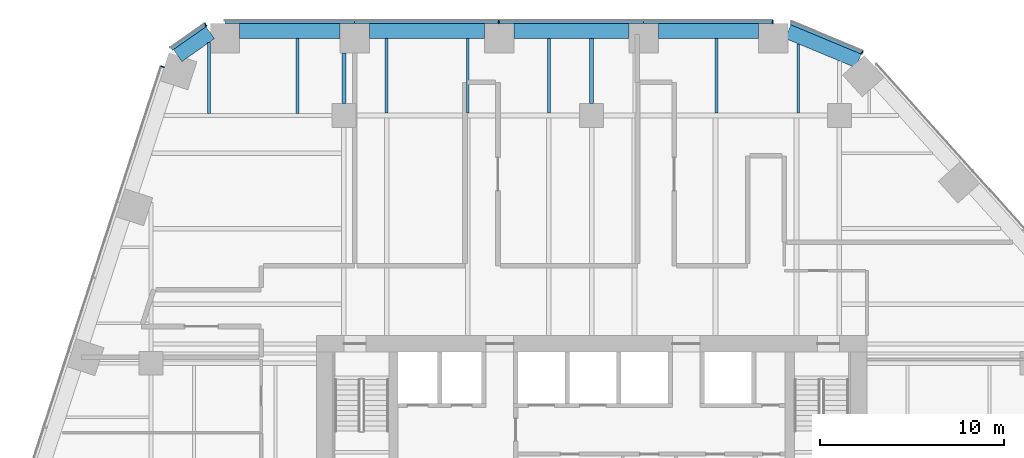
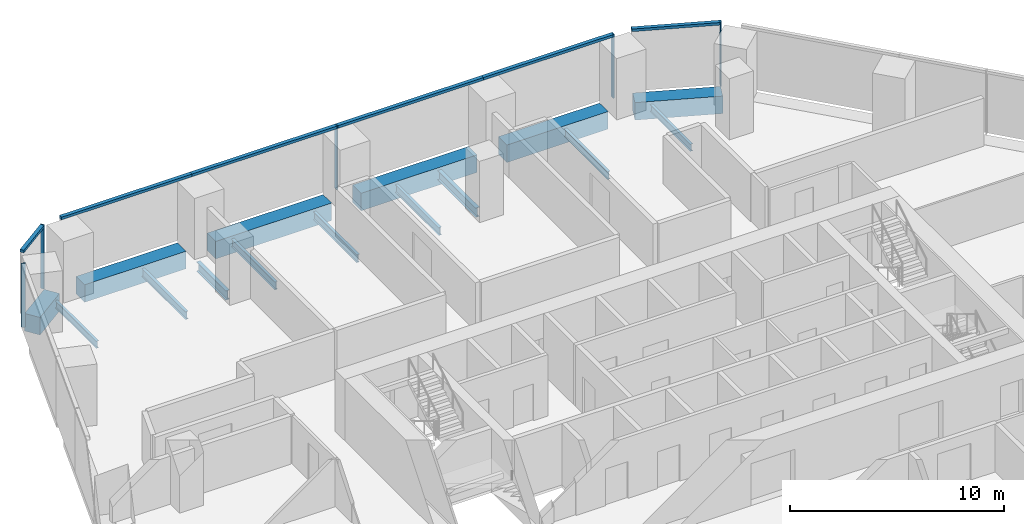
# One storey, part 12 of 21: 15 beams, 11 members, 4 elements without a shape of their own.
"""IFC4 building model written with IfcOpenShell, lengths in metres."""

from ifc_helpers import new_model, si_unit, direction, frame, origin, origin_2d, place, context, subcontext, project, spatial, rectangle, i_section, extrude, material, layer, layer_set, material_profile, profile_set, type_object, element, aggregate, save


model = new_model("IFC4")

# Units and contexts
model_context = context("Model", 3, precision=1e-05, world=origin(), true_north=direction((0.0, 1.0)))
body_context = subcontext(model_context, "Body", "Model", "MODEL_VIEW")
ifc_project = project(units=[si_unit("LENGTHUNIT", "METRE"), si_unit("AREAUNIT", "SQUARE_METRE"), si_unit("VOLUMEUNIT", "CUBIC_METRE"), si_unit("PLANEANGLEUNIT", "RADIAN"), si_unit("MASSUNIT", "GRAM", prefix="KILO")], contexts=[model_context])

# Site, building, storey
site_placement = place(None, origin())
site = spatial("IfcSite", under=ifc_project, at=site_placement, CompositionType="ELEMENT")
building_placement = place(site_placement, origin())
building = spatial("IfcBuilding", under=site, at=building_placement, Name="Isthmus Gate Tower", CompositionType="ELEMENT")
storey_placement = place(building_placement, frame((0.0, 0.0, 106.199951171875)))
storey = spatial("IfcBuildingStorey", under=building, at=storey_placement, Name="L25", CompositionType="ELEMENT", Elevation=106.199951171875)

# Curtain wall, members
ifc_material_1 = material(Name="Aluminium, pale champagne anodised", Category="aluminium")
ifc_layer = layer(ifc_material_1, 0.199951171875)
ifc_layer_set = layer_set([ifc_layer], Name="CW-1 UNITISED CURTAIN WALL 200 DEEP")
curtain_wall_type = type_object("IfcCurtainWallType", Name="CW-1 UNITISED CURTAIN WALL 200 DEEP", PredefinedType="NOTDEFINED", material=ifc_layer_set)
curtain_wall_1_placement = place(storey_placement, origin())
curtain_wall_1 = element("IfcCurtainWall", 1, at=curtain_wall_1_placement, inside=storey, type_object=curtain_wall_type, Name="CW-1 N L25", PredefinedType="NOTDEFINED")
ifc_material_2 = material(Name="Aluminium, pale champagne anodised", Category="aluminium")
ifc_material_profile_1 = material_profile(ifc_material_2, rectangle(XDim=0.06005859375, YDim=0.199951171875, at=origin_2d()), Name="60x200")
ifc_profile_set_1 = profile_set([ifc_material_profile_1], Name="Aluminium, pale champagne anodised")
member_type_1 = type_object("IfcMemberType", Name="CW-1 MULLION 60 X 200", PredefinedType="MULLION", material=ifc_profile_set_1)
member_1_placement = place(storey_placement, frame((9.871826171875, 32.10009765625, 0.0), z_axis=(0.0, 0.0, 1.0), x_axis=(-1.0, 0.0, 0.0)))
member_1 = element("IfcMember", 2, at=member_1_placement, type_object=member_type_1, Name="CW-1 mullion", PredefinedType="MULLION", context=body_context, shape_type="SweptSolid", body=[
    extrude(rectangle(XDim=0.06005859375, YDim=0.199951171875, at=origin_2d()), origin(), (0.0, 0.0, 1.0), 3.650146484375),
])
member_2_placement = place(storey_placement, frame((-5.067138671875, 32.10009765625, 0.0), z_axis=(0.0, 0.0, 1.0), x_axis=(-1.0, 0.0, 0.0)))
member_2 = element("IfcMember", 3, at=member_2_placement, type_object=member_type_1, Name="CW-1 mullion", PredefinedType="MULLION", context=body_context, shape_type="SweptSolid", body=[
    extrude(rectangle(XDim=0.06005859375, YDim=0.199951171875, at=origin_2d()), origin(), (0.0, 0.0, 1.0), 3.650146484375),
])

# Curtain wall, member
curtain_wall_2_placement = place(storey_placement, origin())
curtain_wall_2 = element("IfcCurtainWall", 4, at=curtain_wall_2_placement, inside=storey, type_object=curtain_wall_type, Name="CW-1 N-NW L25", PredefinedType="NOTDEFINED")
member_3_placement = place(storey_placement, frame((-21.031005859375, 31.943115234375, 0.0), z_axis=(0.0, 0.0, 1.0), x_axis=(-0.81785959165, -0.57541783805, 0.0)))
member_3 = element("IfcMember", 5, at=member_3_placement, type_object=member_type_1, Name="CW-1 mullion", PredefinedType="MULLION", context=body_context, shape_type="SweptSolid", body=[
    extrude(rectangle(XDim=0.06005859375, YDim=0.199951171875, at=origin_2d()), origin(), (0.0, 0.0, 1.0), 3.650146484375),
])

curtain_wall_3_placement = place(storey_placement, origin())
curtain_wall_3 = element("IfcCurtainWall", 6, at=curtain_wall_3_placement, inside=storey, type_object=curtain_wall_type, Name="CW-1 NW L25", PredefinedType="NOTDEFINED")
member_4_placement = place(storey_placement, frame((-23.380615234375, 29.656494140625, 0.0), z_axis=(0.0, 0.0, 1.0), x_axis=(-0.309016994375, -0.951056516295, 0.0)))
member_4 = element("IfcMember", 7, at=member_4_placement, type_object=member_type_1, Name="CW-1 mullion", PredefinedType="MULLION", context=body_context, shape_type="SweptSolid", body=[
    extrude(rectangle(XDim=0.06005859375, YDim=0.199951171875, at=origin_2d()), origin(), (0.0, 0.0, 1.0), 3.650146484375),
])
aggregate(curtain_wall_3, [member_4])

curtain_wall_4_placement = place(storey_placement, origin())
curtain_wall_4 = element("IfcCurtainWall", 8, at=curtain_wall_4_placement, inside=storey, type_object=curtain_wall_type, Name="CW-1 NE-N L25", PredefinedType="NOTDEFINED")
member_5_placement = place(storey_placement, frame((14.744140625, 30.427490234375, 0.0), z_axis=(0.0, 0.0, 1.0), x_axis=(-0.923353128387, 0.383951820282, 0.0)))
member_5 = element("IfcMember", 9, at=member_5_placement, type_object=member_type_1, Name="CW-1 mullion", PredefinedType="MULLION", context=body_context, shape_type="SweptSolid", body=[
    extrude(rectangle(XDim=0.06005859375, YDim=0.199951171875, at=origin_2d()), origin(), (0.0, 0.0, 1.0), 3.650146484375),
])

# Member
ifc_material_3 = material(Name="Aluminium, pale champagne anodised", Category="aluminium")
ifc_material_profile_2 = material_profile(ifc_material_3, rectangle(XDim=0.199951171875, YDim=0.14990234375, at=origin_2d()), Name="200x150")
ifc_profile_set_2 = profile_set([ifc_material_profile_2], Name="Aluminium, pale champagne anodised")
member_type_2 = type_object("IfcMemberType", Name="CW-1 TRANSOM 200 X 150", PredefinedType="USERDEFINED", material=ifc_profile_set_2)
member_6_placement = place(storey_placement, frame((9.841796875, 32.10009765625, 3.574951171875), z_axis=(-1.0, 0.0, 0.0), x_axis=(0.0, -1.0, 0.0)))
member_6 = element("IfcMember", 10, at=member_6_placement, type_object=member_type_2, Name="CW-1 transom", ObjectType="TRANSOM", PredefinedType="USERDEFINED", context=body_context, shape_type="SweptSolid", body=[
    extrude(rectangle(XDim=0.199951171875, YDim=0.14990234375, at=origin_2d()), origin(), (0.0, 0.0, 1.0), 7.009521484375),
])

member_7_placement = place(storey_placement, frame((2.832275390625, 32.10009765625, 3.574951171875), z_axis=(-1.0, 0.0, 0.0), x_axis=(0.0, -1.0, 0.0)))
member_7 = element("IfcMember", 11, at=member_7_placement, type_object=member_type_2, Name="CW-1 transom", ObjectType="TRANSOM", PredefinedType="USERDEFINED", context=body_context, shape_type="SweptSolid", body=[
    extrude(rectangle(XDim=0.199951171875, YDim=0.14990234375, at=origin_2d()), origin(), (0.0, 0.0, 1.0), 7.869384765625),
])

member_8_placement = place(storey_placement, frame((-5.09716796875, 32.10009765625, 3.574951171875), z_axis=(-1.0, 0.0, 0.0), x_axis=(0.0, -1.0, 0.0)))
member_8 = element("IfcMember", 12, at=member_8_placement, type_object=member_type_2, Name="CW-1 transom", ObjectType="TRANSOM", PredefinedType="USERDEFINED", context=body_context, shape_type="SweptSolid", body=[
    extrude(rectangle(XDim=0.199951171875, YDim=0.14990234375, at=origin_2d()), origin(), (0.0, 0.0, 1.0), 7.8095703125),
])

member_9_placement = place(storey_placement, frame((-12.90673828125, 32.10009765625, 3.574951171875), z_axis=(-1.0, 0.0, 0.0), x_axis=(0.0, -1.0, 0.0)))
member_9 = element("IfcMember", 13, at=member_9_placement, type_object=member_type_2, Name="CW-1 transom", ObjectType="TRANSOM", PredefinedType="USERDEFINED", context=body_context, shape_type="SweptSolid", body=[
    extrude(rectangle(XDim=0.199951171875, YDim=0.14990234375, at=origin_2d()), origin(), (0.0, 0.0, 1.0), 7.069580078125),
])

aggregate(curtain_wall_1, [member_1, member_6, member_7, member_2, member_8, member_9])

member_10_placement = place(storey_placement, frame((-21.055419921875, 31.92578125, 3.574951171875), z_axis=(-0.817868595604, -0.575405040233, 0.0), x_axis=(0.575405040233, -0.817868595604, 0.0)))
member_10 = element("IfcMember", 14, at=member_10_placement, type_object=member_type_2, Name="CW-1 transom", ObjectType="TRANSOM", PredefinedType="USERDEFINED", context=body_context, shape_type="SweptSolid", body=[
    extrude(rectangle(XDim=0.199951171875, YDim=0.14990234375, at=origin_2d()), origin(), (0.0, 0.0, 1.0), 2.258544921875),
])

aggregate(curtain_wall_2, [member_3, member_10])

member_11_placement = place(storey_placement, frame((14.716552734375, 30.43896484375, 3.574951171875), z_axis=(-0.923358236369, 0.383939536033, 0.0), x_axis=(-0.383939536033, -0.923358236369, 0.0)))
member_11 = element("IfcMember", 15, at=member_11_placement, type_object=member_type_2, Name="CW-1 transom", ObjectType="TRANSOM", PredefinedType="USERDEFINED", context=body_context, shape_type="SweptSolid", body=[
    extrude(rectangle(XDim=0.199951171875, YDim=0.14990234375, at=origin_2d()), origin(), (0.0, 0.0, 1.0), 4.181640625),
])

aggregate(curtain_wall_4, [member_5, member_11])

# Beams
ifc_material_4 = material(Name="Concrete f'c 70 MPa", Category="concrete")
ifc_material_profile_3 = material_profile(ifc_material_4, rectangle(XDim=0.800048828125, YDim=1.0, at=origin_2d()), Name="RC 800X1000")
ifc_profile_set_3 = profile_set([ifc_material_profile_3], Name="Concrete f'c 70 MPa")
beam_type_1 = type_object("IfcBeamType", Name="RC SPANDREL 800 X 1000", PredefinedType="SPANDREL", material=ifc_profile_set_3)
beam_1_placement = place(storey_placement, frame((10.701904296875, 31.56689453125, -0.5), z_axis=(0.923334166719, -0.383997417399, 0.0), x_axis=(0.383997417399, 0.923334166719, 0.0)))
element("IfcBeam", 16, at=beam_1_placement, inside=storey, type_object=beam_type_1, Name="str-spandrel-L25-00", PredefinedType="SPANDREL", context=body_context, shape_type="SweptSolid", body=[
    extrude(rectangle(XDim=0.800048828125, YDim=1.0, at=origin_2d()), origin(), (0.0, 0.0, 1.0), 4.15234375),
])
beam_2_placement = place(storey_placement, frame((-22.553466796875, 30.260498046875, -0.5), z_axis=(0.817857331203, 0.575421050882, 0.0), x_axis=(-0.575421050882, 0.817857331203, 0.0)))
element("IfcBeam", 17, at=beam_2_placement, inside=storey, type_object=beam_type_1, Name="str-spandrel-L25-22", PredefinedType="SPANDREL", context=body_context, shape_type="SweptSolid", body=[
    extrude(rectangle(XDim=0.800048828125, YDim=1.0, at=origin_2d()), origin(), (0.0, 0.0, 1.0), 2.173095703125),
])
beam_3_placement = place(storey_placement, frame((-19.17626953125, 31.60009765625, -0.5), z_axis=(1.0, 0.0, 0.0), x_axis=(0.0, 1.0, 0.0)))
element("IfcBeam", 18, at=beam_3_placement, inside=storey, type_object=beam_type_1, Name="str-spandrel-L25-23", PredefinedType="SPANDREL", context=body_context, shape_type="SweptSolid", body=[
    extrude(rectangle(XDim=0.800048828125, YDim=1.0, at=origin_2d()), origin(), (0.0, 0.0, 1.0), 5.469482421875),
])
for number, where, z_axis, x_axis, name in (
    (19, (-12.106689453125, 31.60009765625, -0.5), (1.0, 0.0, 0.0), (0.0, 1.0, 0.0), "str-spandrel-L25-24"),
    (20, (-4.2373046875, 31.60009765625, -0.5), (1.0, 0.0, 0.0), (0.0, 1.0, 0.0), "str-spandrel-L25-25"),
):
    element("IfcBeam", number, at=place(storey_placement, frame(where, z_axis=z_axis, x_axis=x_axis)), inside=storey, type_object=beam_type_1, Name=name, PredefinedType="SPANDREL", context=body_context, shape_type="SweptSolid", body=[
        extrude(rectangle(XDim=0.800048828125, YDim=1.0, at=origin_2d()), origin(), (0.0, 0.0, 1.0), 6.26953125),
    ])
beam_4_placement = place(storey_placement, frame((3.63232421875, 31.60009765625, -0.5), z_axis=(1.0, 0.0, 0.0), x_axis=(0.0, 1.0, 0.0)))
element("IfcBeam", 21, at=beam_4_placement, inside=storey, type_object=beam_type_1, Name="str-spandrel-L25-26", PredefinedType="SPANDREL", context=body_context, shape_type="SweptSolid", body=[
    extrude(rectangle(XDim=0.800048828125, YDim=1.0, at=origin_2d()), origin(), (0.0, 0.0, 1.0), 5.469482421875),
])
ifc_material_5 = material(Name="Structural steel ASTM A992 Gr 50", Category="steel")
ifc_material_profile_4 = material_profile(ifc_material_5, i_section(OverallWidth=0.1396484375, OverallDepth=0.4033203125, WebThickness=0.00634765625, FlangeThickness=0.010986328125, at=origin_2d()), Name="W16X31")
ifc_profile_set_4 = profile_set([ifc_material_profile_4], Name="Structural steel ASTM A992 Gr 50")
beam_type_2 = type_object("IfcBeamType", Name="STEEL FLOOR BEAM W16X31", PredefinedType="JOIST", material=ifc_profile_set_4)
beam_5_placement = place(storey_placement, frame((-20.846435546875, 27.1142578125, -0.3515625), z_axis=(0.0, 1.0, 0.0), x_axis=(-1.0, 0.0, 0.0)))
element("IfcBeam", 22, at=beam_5_placement, inside=storey, type_object=beam_type_2, Name="str-beam-L25-09-00", PredefinedType="JOIST", context=body_context, shape_type="SweptSolid", body=[
    extrude(i_section(OverallWidth=0.1396484375, OverallDepth=0.4033203125, WebThickness=0.00634765625, FlangeThickness=0.010986328125, at=origin_2d()), origin(), (0.0, 0.0, 1.0), 3.858154296875),
])
beam_6_placement = place(storey_placement, frame((11.267578125, 27.1318359375, -0.3515625), z_axis=(0.0, 1.0, 0.0), x_axis=(-1.0, 0.0, 0.0)))
element("IfcBeam", 23, at=beam_6_placement, inside=storey, type_object=beam_type_2, Name="str-beam-L25-20-02", PredefinedType="JOIST", context=body_context, shape_type="SweptSolid", body=[
    extrude(i_section(OverallWidth=0.1396484375, OverallDepth=0.4033203125, WebThickness=0.00634765625, FlangeThickness=0.010986328125, at=origin_2d()), origin(), (0.0, 0.0, 1.0), 3.7666015625),
])
ifc_material_6 = material(Name="Structural steel ASTM A992 Gr 50", Category="steel")
ifc_material_profile_5 = material_profile(ifc_material_6, i_section(OverallWidth=0.15234375, OverallDepth=0.45068359375, WebThickness=0.0078125, FlangeThickness=0.010986328125, at=origin_2d()), Name="W18X35")
ifc_profile_set_5 = profile_set([ifc_material_profile_5], Name="Structural steel ASTM A992 Gr 50")
beam_type_3 = type_object("IfcBeamType", Name="STEEL FLOOR BEAM W18X35", PredefinedType="JOIST", material=ifc_profile_set_5)
beam_7_placement = place(storey_placement, frame((-16.0185546875, 27.1142578125, -0.375244140625), z_axis=(0.0, 1.0, 0.0), x_axis=(-1.0, 0.0, 0.0)))
element("IfcBeam", 24, at=beam_7_placement, inside=storey, type_object=beam_type_3, Name="str-beam-L25-09-01", PredefinedType="JOIST", context=body_context, shape_type="SweptSolid", body=[
    extrude(i_section(OverallWidth=0.15234375, OverallDepth=0.45068359375, WebThickness=0.0078125, FlangeThickness=0.010986328125, at=origin_2d()), origin(), (0.0, 0.0, 1.0), 4.085693359375),
])
for number, where, z_axis, x_axis, name in (
    (25, (-11.18017578125, 27.1318359375, -0.375244140625), (0.0, 1.0, 0.0), (-1.0, 0.0, 0.0), "str-beam-L25-15-00"),
    (26, (-6.75, 27.1318359375, -0.375244140625), (0.0, 1.0, 0.0), (-1.0, 0.0, 0.0), "str-beam-L25-15-01"),
    (27, (-2.31982421875, 27.1318359375, -0.375244140625), (0.0, 1.0, 0.0), (-1.0, 0.0, 0.0), "str-beam-L25-15-02"),
    (28, (6.802490234375, 27.1318359375, -0.375244140625), (0.0, 1.0, 0.0), (-1.0, 0.0, 0.0), "str-beam-L25-20-01"),
):
    element("IfcBeam", number, at=place(storey_placement, frame(where, z_axis=z_axis, x_axis=x_axis)), inside=storey, type_object=beam_type_3, Name=name, PredefinedType="JOIST", context=body_context, shape_type="SweptSolid", body=[
        extrude(i_section(OverallWidth=0.15234375, OverallDepth=0.45068359375, WebThickness=0.0078125, FlangeThickness=0.010986328125, at=origin_2d()), origin(), (0.0, 0.0, 1.0), 4.068115234375),
    ])
ifc_material_7 = material(Name="Structural steel ASTM A992 Gr 50", Category="steel")
ifc_material_profile_6 = material_profile(ifc_material_7, i_section(OverallWidth=0.20947265625, OverallDepth=0.533447265625, WebThickness=0.009521484375, FlangeThickness=0.015869140625, at=origin_2d()), Name="W21X62")
ifc_profile_set_6 = profile_set([ifc_material_profile_6], Name="Structural steel ASTM A992 Gr 50")
beam_type_4 = type_object("IfcBeamType", Name="STEEL GIRDER W21X62", PredefinedType="BEAM", material=ifc_profile_set_6)
beam_8_placement = place(storey_placement, frame((-13.5, 27.64990234375, -0.416748046875), z_axis=(0.0, 1.0, 0.0), x_axis=(-1.0, 0.0, 0.0)))
element("IfcBeam", 29, at=beam_8_placement, inside=storey, type_object=beam_type_4, Name="str-girder-L25-28", PredefinedType="BEAM", context=body_context, shape_type="SweptSolid", body=[
    extrude(i_section(OverallWidth=0.20947265625, OverallDepth=0.533447265625, WebThickness=0.009521484375, FlangeThickness=0.015869140625, at=origin_2d()), origin(), (0.0, 0.0, 1.0), 2.75),
])
beam_9_placement = place(storey_placement, frame((0.0, 27.64990234375, -0.416748046875), z_axis=(0.0, 1.0, 0.0), x_axis=(-1.0, 0.0, 0.0)))
element("IfcBeam", 30, at=beam_9_placement, inside=storey, type_object=beam_type_4, Name="str-girder-L25-31", PredefinedType="BEAM", context=body_context, shape_type="SweptSolid", body=[
    extrude(i_section(OverallWidth=0.20947265625, OverallDepth=0.533447265625, WebThickness=0.009521484375, FlangeThickness=0.015869140625, at=origin_2d()), origin(), (0.0, 0.0, 1.0), 3.550048828125),
])

save(model, "model.ifc")
